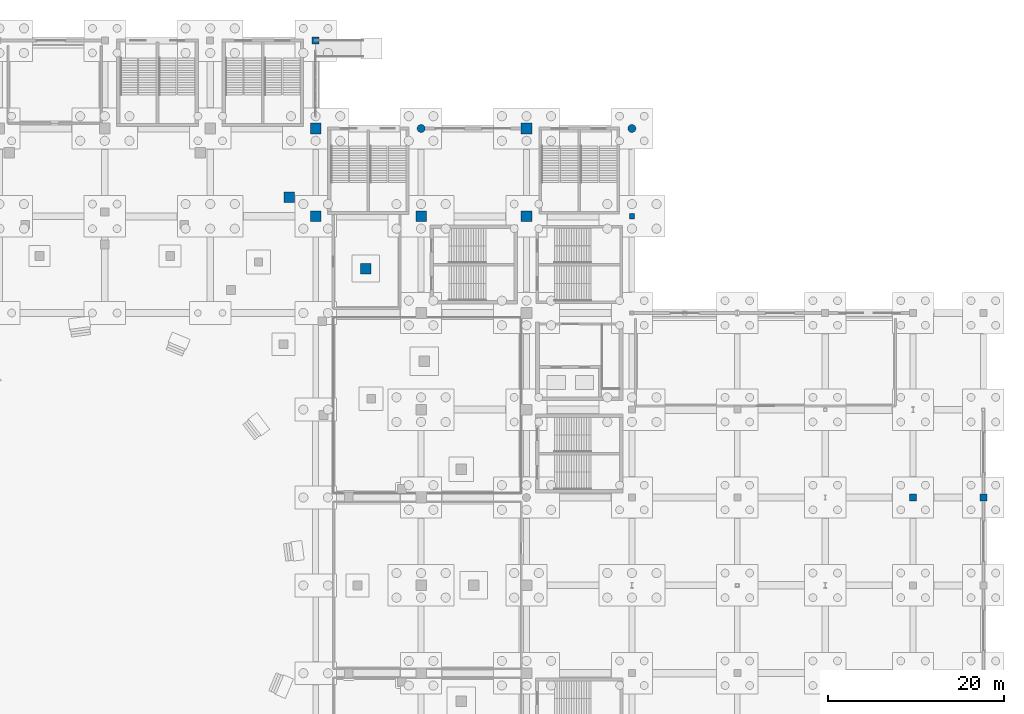
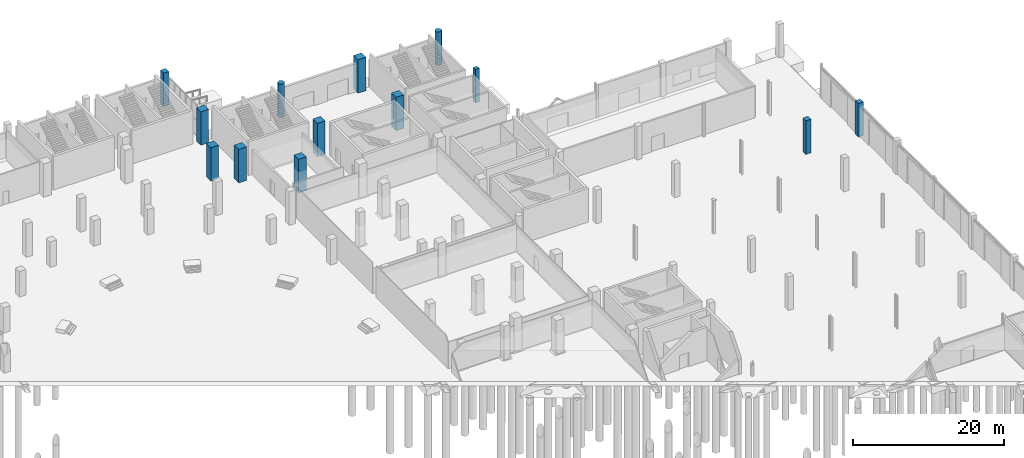
# One storey, part 28 of 70: 13 columns.
"""IFC4 building model written with IfcOpenShell, lengths in metres."""

from ifc_helpers import new_model, si_unit, direction, frame, origin, origin_2d, place, context, subcontext, project, spatial, rectangle, circle, extrude, material, material_profile, profile_set, type_object, element, save


model = new_model("IFC4")

# Units and contexts
model_context = context("Model", 3, precision=1e-05, world=origin(), true_north=direction((0.0, 1.0)))
body_context = subcontext(model_context, "Body", "Model", "MODEL_VIEW")
ifc_project = project(units=[si_unit("LENGTHUNIT", "METRE"), si_unit("AREAUNIT", "SQUARE_METRE"), si_unit("VOLUMEUNIT", "CUBIC_METRE"), si_unit("PLANEANGLEUNIT", "RADIAN"), si_unit("MASSUNIT", "GRAM", prefix="KILO")], contexts=[model_context])

# Site, building, storey
site_placement = place(None, origin())
site = spatial("IfcSite", under=ifc_project, at=site_placement, CompositionType="ELEMENT")
building_placement = place(site_placement, origin())
building = spatial("IfcBuilding", under=site, at=building_placement, Name="Brinegate Civic Arena", CompositionType="ELEMENT")
storey_placement = place(building_placement, origin())
storey = spatial("IfcBuildingStorey", under=building, at=storey_placement, Name="L00", CompositionType="ELEMENT", Elevation=0.0)

# Columns
ifc_material = material(Name="Concrete C50/60", Category="concrete")
ifc_material_profile_1 = material_profile(ifc_material, rectangle(XDim=1.199951171875, YDim=1.199951171875, at=origin_2d()), Name="RC1200X1200")
ifc_profile_set_1 = profile_set([ifc_material_profile_1], Name="Concrete C50/60")
column_type_1 = type_object("IfcColumnType", Name="COL-CC01-1200", PredefinedType="COLUMN", material=ifc_profile_set_1)
for number, where, z_axis, x_axis, name in (
    (1, (132.0, 104.0, 0.0), (0.0, 0.0, 1.0), (1.0, 0.0, 0.0), "Column COL-L00-12-L"),
    (2, (132.0, 114.0, 0.0), (0.0, 0.0, 1.0), (1.0, 0.0, 0.0), "Column COL-L00-12-M"),
    (3, (144.0, 104.0, 0.0), (0.0, 0.0, 1.0), (1.0, 0.0, 0.0), "Column COL-L00-13-L"),
    (4, (156.0, 104.0, 0.0), (0.0, 0.0, 1.0), (1.0, 0.0, 0.0), "Column COL-L00-14-L"),
    (5, (156.0, 114.0, 0.0), (0.0, 0.0, 1.0), (1.0, 0.0, 0.0), "Column COL-L00-14-M"),
    (6, (137.697998046875, 98.06201171875, 0.0), (0.0, 0.0, 1.0), (1.0, 0.0, 0.0), "Bowl Raker Column OUT-04-L00"),
    (7, (129.0, 106.1669921875, 0.0), (0.0, 0.0, 1.0), (1.0, 0.0, 0.0), "Bowl Raker Column OUT-05-L00"),
):
    element("IfcColumn", number, at=place(storey_placement, frame(where, z_axis=z_axis, x_axis=x_axis)), inside=storey, type_object=column_type_1, Name=name, PredefinedType="COLUMN", context=body_context, shape_type="SweptSolid", body=[
        extrude(rectangle(XDim=1.199951171875, YDim=1.199951171875, at=origin_2d()), origin(), (0.0, 0.0, 1.0), 5.39990234375),
    ])
ifc_material_profile_2 = material_profile(ifc_material, rectangle(XDim=0.800048828125, YDim=0.800048828125, at=origin_2d()), Name="RC800X800")
ifc_profile_set_2 = profile_set([ifc_material_profile_2], Name="Concrete C50/60")
column_type_2 = type_object("IfcColumnType", Name="COL-CC07-800", PredefinedType="COLUMN", material=ifc_profile_set_2)
for number, where, z_axis, x_axis, name in (
    (8, (132.0, 124.0, 0.0), (0.0, 0.0, 1.0), (1.0, 0.0, 0.0), "Column COL-L00-12-N"),
    (9, (200.0, 72.0, 0.0), (0.0, 0.0, 1.0), (1.0, 0.0, 0.0), "Column COL-L00-18-H"),
    (10, (208.0, 72.0, 0.0), (0.0, 0.0, 1.0), (1.0, 0.0, 0.0), "Column COL-L00-19-H"),
):
    element("IfcColumn", number, at=place(storey_placement, frame(where, z_axis=z_axis, x_axis=x_axis)), inside=storey, type_object=column_type_2, Name=name, PredefinedType="COLUMN", context=body_context, shape_type="SweptSolid", body=[
        extrude(rectangle(XDim=0.800048828125, YDim=0.800048828125, at=origin_2d()), origin(), (0.0, 0.0, 1.0), 5.39990234375),
    ])
ifc_material_profile_3 = material_profile(ifc_material, rectangle(XDim=0.60009765625, YDim=0.60009765625, at=origin_2d()), Name="RC600X600")
ifc_profile_set_3 = profile_set([ifc_material_profile_3], Name="Concrete C50/60")
column_type_3 = type_object("IfcColumnType", Name="COL-CC11-600", PredefinedType="COLUMN", material=ifc_profile_set_3)
column_placement = place(storey_placement, frame((168.0, 104.0, 0.0), z_axis=(0.0, 0.0, 1.0), x_axis=(1.0, 0.0, 0.0)))
element("IfcColumn", 11, at=column_placement, inside=storey, type_object=column_type_3, Name="Column COL-L00-15-L", PredefinedType="COLUMN", context=body_context, shape_type="SweptSolid", body=[
    extrude(rectangle(XDim=0.60009765625, YDim=0.60009765625, at=origin_2d()), origin(), (0.0, 0.0, 1.0), 5.39990234375),
])
ifc_material_profile_4 = material_profile(ifc_material, circle(Radius=0.449951171875, at=origin_2d()), Name="RCD900")
ifc_profile_set_4 = profile_set([ifc_material_profile_4], Name="Concrete C50/60")
column_type_4 = type_object("IfcColumnType", Name="COL-CC12-D900", PredefinedType="COLUMN", material=ifc_profile_set_4)
for number, where, z_axis, x_axis, name in (
    (12, (144.0, 114.0, 0.0), (0.0, 0.0, 1.0), (1.0, 0.0, 0.0), "Column COL-L00-13-M"),
    (13, (168.0, 114.0, 0.0), (0.0, 0.0, 1.0), (1.0, 0.0, 0.0), "Column COL-L00-15-M"),
):
    element("IfcColumn", number, at=place(storey_placement, frame(where, z_axis=z_axis, x_axis=x_axis)), inside=storey, type_object=column_type_4, Name=name, PredefinedType="COLUMN", context=body_context, shape_type="SweptSolid", body=[
        extrude(circle(Radius=0.449951171875, at=origin_2d()), origin(), (0.0, 0.0, 1.0), 5.39990234375),
    ])

save(model, "model.ifc")
